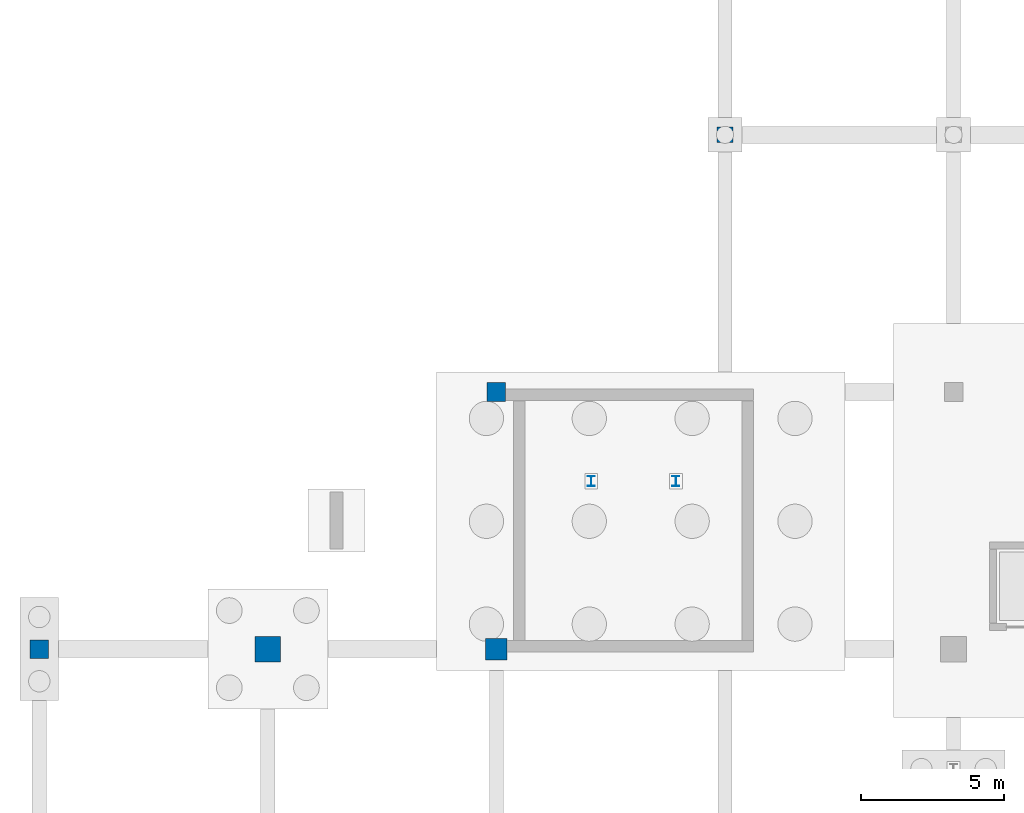
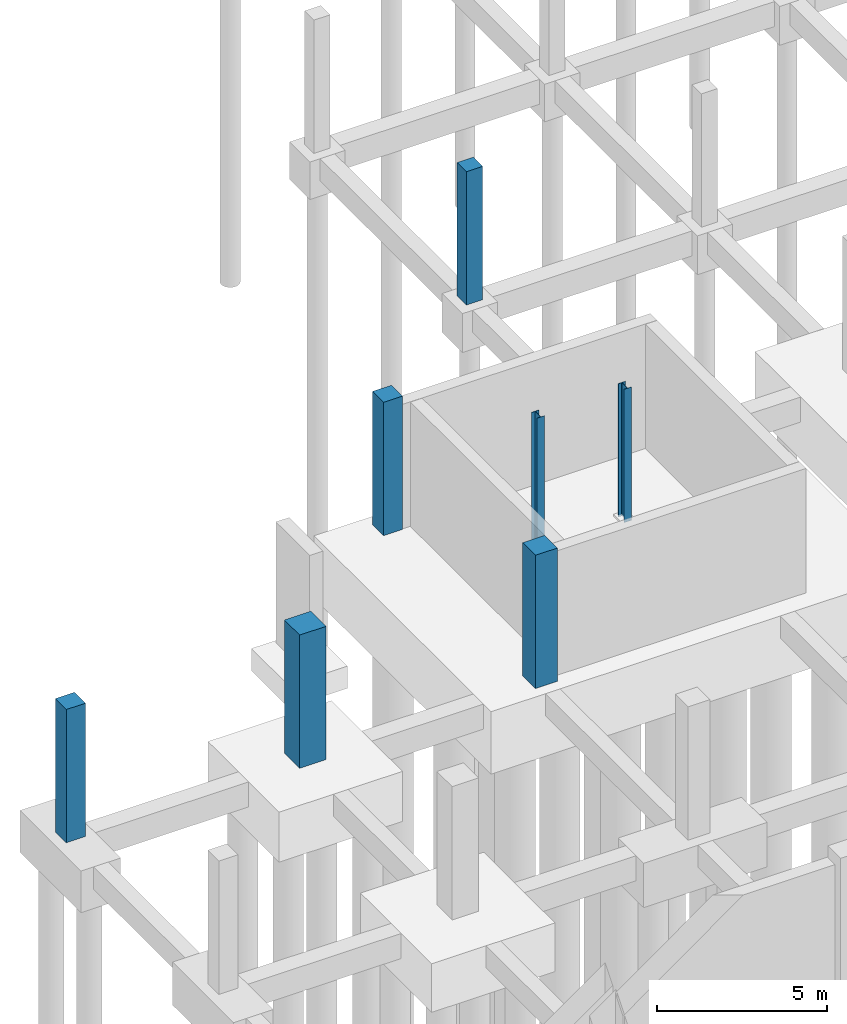
# One storey, part 15 of 32: 7 columns.
"""IFC4 building model written with IfcOpenShell, lengths in metres."""

from ifc_helpers import new_model, si_unit, derived_unit, direction, frame, origin, origin_2d, place, context, subcontext, project, spatial, rectangle, i_section, extrude, material, material_profile, profile_set, type_object, element, save


model = new_model("IFC4")

# Units and contexts
model_context = context("Model", 3, precision=1e-05, world=origin(), true_north=direction((0.0, 1.0)))
body_context = subcontext(model_context, "Body", "Model", "MODEL_VIEW")
ifc_project = project(units=[si_unit("LENGTHUNIT", "METRE"), si_unit("AREAUNIT", "SQUARE_METRE"), si_unit("VOLUMEUNIT", "CUBIC_METRE"), si_unit("PLANEANGLEUNIT", "RADIAN"), si_unit("MASSUNIT", "GRAM", prefix="KILO"), derived_unit("THERMALTRANSMITTANCEUNIT", [(si_unit("POWERUNIT", "WATT"), 1), (si_unit("LENGTHUNIT", "METRE"), -2), (si_unit("THERMODYNAMICTEMPERATUREUNIT", "KELVIN"), -1)])], contexts=[model_context])

# Site, building, storey
site_placement = place(None, origin())
site = spatial("IfcSite", under=ifc_project, at=site_placement, CompositionType="ELEMENT")
building_placement = place(site_placement, origin())
building = spatial("IfcBuilding", under=site, at=building_placement, Name="Nallur Shell Playhouse", CompositionType="ELEMENT")
storey_placement = place(building_placement, frame((0.0, 0.0, -4.800048828125)))
storey = spatial("IfcBuildingStorey", under=building, at=storey_placement, Name="B1", CompositionType="ELEMENT", Elevation=-4.800048828125)

# Columns
ifc_material_1 = material(Name="Concrete M35", Category="concrete")
ifc_material_profile_1 = material_profile(ifc_material_1, rectangle(XDim=0.550048828125, YDim=0.550048828125, at=origin_2d()), Name="RC 550x550")
ifc_profile_set_1 = profile_set([ifc_material_profile_1], Name="Concrete M35")
column_type_1 = type_object("IfcColumnType", Name="CL-RC-550", PredefinedType="COLUMN", material=ifc_profile_set_1)
column_1_placement = place(storey_placement, frame((32.0, 92.0, 0.0), z_axis=(0.0, 0.0, 1.0), x_axis=(1.0, 0.0, 0.0)))
element("IfcColumn", 1, at=column_1_placement, inside=storey, type_object=column_type_1, Name="Column 4-L (B1)", PredefinedType="COLUMN", context=body_context, shape_type="SweptSolid", body=[
    extrude(rectangle(XDim=0.550048828125, YDim=0.550048828125, at=origin_2d()), origin(), (0.0, 0.0, 1.0), 4.800048828125),
])
ifc_material_profile_2 = material_profile(ifc_material_1, rectangle(XDim=0.64990234375, YDim=0.64990234375, at=origin_2d()), Name="RC 650x650")
ifc_profile_set_2 = profile_set([ifc_material_profile_2], Name="Concrete M35")
column_type_2 = type_object("IfcColumnType", Name="CL-RC-650", PredefinedType="COLUMN", material=ifc_profile_set_2)
for number, where, z_axis, x_axis, name in (
    (2, (8.0, 74.0, 0.0), (0.0, 0.0, 1.0), (1.0, 0.0, 0.0), "Column 1-J (B1)"),
    (3, (24.0, 83.0, 0.0), (0.0, 0.0, 1.0), (1.0, 0.0, 0.0), "Column 3-K (B1)"),
):
    element("IfcColumn", number, at=place(storey_placement, frame(where, z_axis=z_axis, x_axis=x_axis)), inside=storey, type_object=column_type_2, Name=name, PredefinedType="COLUMN", context=body_context, shape_type="SweptSolid", body=[
        extrude(rectangle(XDim=0.64990234375, YDim=0.64990234375, at=origin_2d()), origin(), (0.0, 0.0, 1.0), 4.800048828125),
    ])
ifc_material_2 = material(Name="Concrete M40", Category="concrete")
ifc_material_profile_3 = material_profile(ifc_material_2, rectangle(XDim=0.75, YDim=0.75, at=origin_2d()), Name="RC 750x750")
ifc_profile_set_3 = profile_set([ifc_material_profile_3], Name="Concrete M40")
column_type_3 = type_object("IfcColumnType", Name="CL-RC-750", PredefinedType="COLUMN", material=ifc_profile_set_3)
column_2_placement = place(storey_placement, frame((24.0, 74.0, 0.0), z_axis=(0.0, 0.0, 1.0), x_axis=(1.0, 0.0, 0.0)))
element("IfcColumn", 4, at=column_2_placement, inside=storey, type_object=column_type_3, Name="Column 3-J (B1)", PredefinedType="COLUMN", context=body_context, shape_type="SweptSolid", body=[
    extrude(rectangle(XDim=0.75, YDim=0.75, at=origin_2d()), origin(), (0.0, 0.0, 1.0), 4.800048828125),
])
ifc_material_profile_4 = material_profile(ifc_material_2, rectangle(XDim=0.89990234375, YDim=0.89990234375, at=origin_2d()), Name="RC 900x900")
ifc_profile_set_4 = profile_set([ifc_material_profile_4], Name="Concrete M40")
column_type_4 = type_object("IfcColumnType", Name="CL-RC-900", PredefinedType="COLUMN", material=ifc_profile_set_4)
column_3_placement = place(storey_placement, frame((16.0, 74.0, 0.0), z_axis=(0.0, 0.0, 1.0), x_axis=(1.0, 0.0, 0.0)))
element("IfcColumn", 5, at=column_3_placement, inside=storey, type_object=column_type_4, Name="Column 2-J (B1)", PredefinedType="COLUMN", context=body_context, shape_type="SweptSolid", body=[
    extrude(rectangle(XDim=0.89990234375, YDim=0.89990234375, at=origin_2d()), origin(), (0.0, 0.0, 1.0), 4.800048828125),
])
ifc_material_3 = material(Name="Steel E350", Category="steel")
ifc_material_profile_5 = material_profile(ifc_material_3, i_section(OverallWidth=0.25, OverallDepth=0.35009765625, WebThickness=0.010009765625, FlangeThickness=0.01171875, FilletRadius=0.011962890625, at=origin_2d()), Name="ISHB 350")
ifc_profile_set_5 = profile_set([ifc_material_profile_5], Name="Steel E350")
column_type_5 = type_object("IfcColumnType", Name="CL-ST-ISHB350", PredefinedType="COLUMN", material=ifc_profile_set_5)
for number, where, z_axis, x_axis, name in (
    (6, (27.320068359375, 79.8798828125, 0.0), (0.0, 0.0, 1.0), (1.0, 0.0, 0.0), "Column STW-JC-6-W (B1)"),
    (7, (30.280029296875, 79.8798828125, 0.0), (0.0, 0.0, 1.0), (1.0, 0.0, 0.0), "Column STW-JC-6-E (B1)"),
):
    element("IfcColumn", number, at=place(storey_placement, frame(where, z_axis=z_axis, x_axis=x_axis)), inside=storey, type_object=column_type_5, Name=name, PredefinedType="COLUMN", context=body_context, shape_type="SweptSolid", body=[
        extrude(i_section(OverallWidth=0.25, OverallDepth=0.35009765625, WebThickness=0.010009765625, FlangeThickness=0.01171875, FilletRadius=0.011962890625, at=origin_2d()), origin(), (0.0, 0.0, 1.0), 4.800048828125),
    ])

save(model, "model.ifc")
